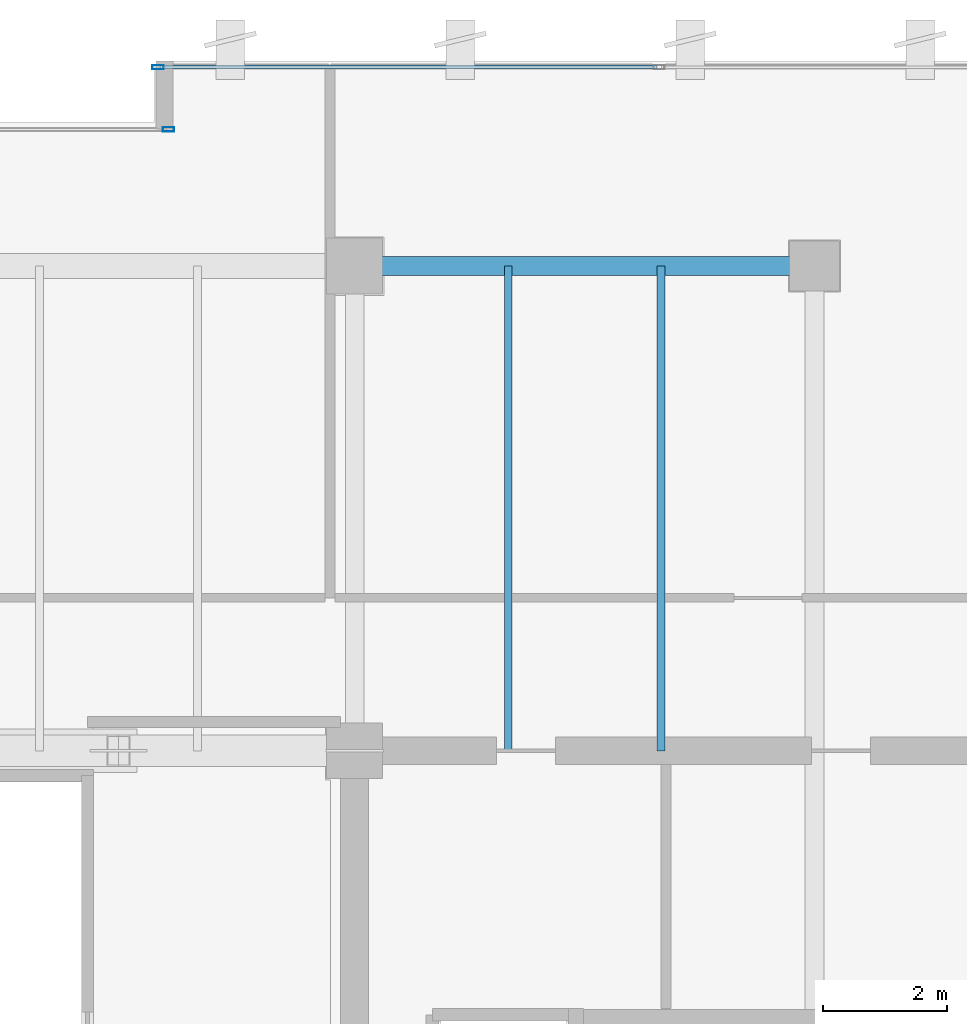
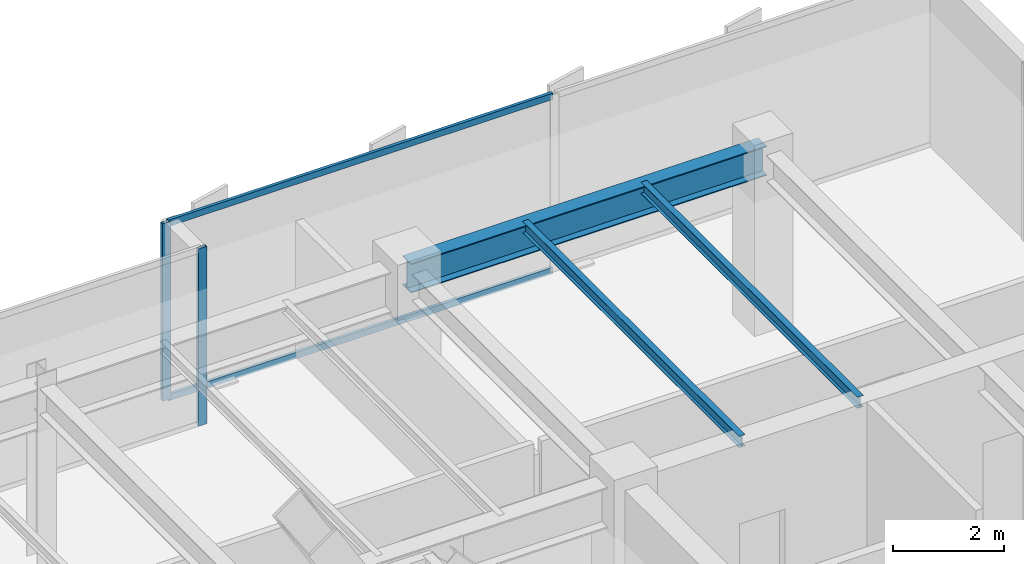
# One storey, part 23 of 32: 4 members, 3 beams, 2 elements without a shape of their own.
"""IFC4 building model written with IfcOpenShell, lengths in metres."""

from ifc_helpers import new_model, si_unit, direction, frame, origin, origin_2d, place, context, subcontext, project, spatial, hollow_rectangle, i_section, extrude, source, transform, mapped, material, layer, layer_set, material_profile, profile_set, type_object, type_shapes, element, aggregate, save


model = new_model("IFC4")

# Units and contexts
model_context = context("Model", 3, precision=1e-05, world=origin(), true_north=direction((0.0, 1.0)))
body_context = subcontext(model_context, "Body", "Model", "MODEL_VIEW")
ifc_project = project(units=[si_unit("LENGTHUNIT", "METRE"), si_unit("AREAUNIT", "SQUARE_METRE"), si_unit("VOLUMEUNIT", "CUBIC_METRE"), si_unit("PLANEANGLEUNIT", "RADIAN"), si_unit("MASSUNIT", "GRAM", prefix="KILO")], contexts=[model_context])

# Site, building, storey
site_placement = place(None, origin())
site = spatial("IfcSite", under=ifc_project, at=site_placement, CompositionType="ELEMENT")
building_placement = place(site_placement, origin())
building = spatial("IfcBuilding", under=site, at=building_placement, Name="Haelvirn Gate Laboratories", CompositionType="ELEMENT")
storey_placement = place(building_placement, frame((0.0, 0.0, 306.0)))
storey = spatial("IfcBuildingStorey", under=building, at=storey_placement, Name="L73", CompositionType="ELEMENT", Elevation=306.0)

# Beams
ifc_material_1 = material(Name="Steel SM355", Category="steel")
ifc_material_profile_1 = material_profile(ifc_material_1, i_section(OverallWidth=0.300048828125, OverallDepth=0.64990234375, WebThickness=0.012939453125, FlangeThickness=0.02197265625, at=origin_2d()), Name="H-650x300x13x22")
ifc_profile_set_1 = profile_set([ifc_material_profile_1], Name="Steel SM355")
beam_type_1 = type_object("IfcBeamType", Name="BM-G-650", PredefinedType="BEAM", material=ifc_profile_set_1)
shared_shape_1 = source(origin(), body_context, "Body", "SweptSolid", [
    extrude(i_section(OverallWidth=0.300048828125, OverallDepth=0.64990234375, WebThickness=0.012939453125, FlangeThickness=0.02197265625, at=origin_2d()), origin(), (0.0, 0.0, 1.0), 7.39990234375),
])
type_shapes(beam_type_1, [shared_shape_1])
beam_placement = place(storey_placement, frame((52.60009765625, 41.60009765625, 3.574951171875), z_axis=(1.0, 0.0, 0.0), x_axis=(0.0, 1.0, 0.0)))
element("IfcBeam", 1, at=beam_placement, inside=storey, type_object=beam_type_1, Name="L73 Primary Girder Y41.6 (52.6-60.0)", PredefinedType="BEAM", context=body_context, shape_type="MappedRepresentation", body=[
    mapped(shared_shape_1, transform((0.0, 0.0, 0.0), scale=1.0)),
])
ifc_material_profile_2 = material_profile(ifc_material_1, i_section(OverallWidth=0.125, OverallDepth=0.25, WebThickness=0.006103515625, FlangeThickness=0.009033203125, at=origin_2d()), Name="H-250x125x6x9")
ifc_profile_set_2 = profile_set([ifc_material_profile_2], Name="Steel SM355")
beam_type_2 = type_object("IfcBeamType", Name="BM-J-250", PredefinedType="JOIST", material=ifc_profile_set_2)
shared_shape_2 = source(origin(), body_context, "Body", "SweptSolid", [
    extrude(i_section(OverallWidth=0.125, OverallDepth=0.25, WebThickness=0.006103515625, FlangeThickness=0.009033203125, at=origin_2d()), origin(), (0.0, 0.0, 1.0), 7.800048828125),
])
type_shapes(beam_type_2, [shared_shape_2])
for number, where, z_axis, x_axis, name in (
    (2, (55.070068359375, 33.800048828125, 3.77490234375), (0.0, 1.0, 0.0), (-1.0, 0.0, 0.0), "L73 Composite Lab Joist North X55.07"),
    (3, (57.530029296875, 33.800048828125, 3.77490234375), (0.0, 1.0, 0.0), (-1.0, 0.0, 0.0), "L73 Composite Lab Joist North X57.53"),
):
    element("IfcBeam", number, at=place(storey_placement, frame(where, z_axis=z_axis, x_axis=x_axis)), inside=storey, type_object=beam_type_2, Name=name, PredefinedType="JOIST", context=body_context, shape_type="MappedRepresentation", body=[
        mapped(shared_shape_2, transform((0.0, 0.0, 0.0), scale=1.0)),
    ])

# Curtain wall, member
ifc_material_2 = material(Name="Anodised bronze unitised aluminium & triple low-E glass", Category="aluminium")
ifc_layer = layer(ifc_material_2, 0.176025390625, Name="CW-SYS-4")
ifc_layer_set = layer_set([ifc_layer], Name="Anodised bronze unitised aluminium & triple low-E glass")
curtain_wall_type = type_object("IfcCurtainWallType", Name="CW-SYS-4", PredefinedType="NOTDEFINED", material=ifc_layer_set)
curtain_wall_1_placement = place(storey_placement, origin())
curtain_wall_1 = element("IfcCurtainWall", 4, at=curtain_wall_1_placement, inside=storey, type_object=curtain_wall_type, Name="L73 Unitised Curtain Wall CW-L73-P0-E10-1", PredefinedType="NOTDEFINED")
ifc_material_3 = material(Name="Extruded aluminium 6063-T6 (anodised bronze)", Category="aluminium")
ifc_material_profile_3 = material_profile(ifc_material_3, hollow_rectangle(XDim=0.070068359375, YDim=0.179931640625, WallThickness=0.0048828125, at=origin_2d()), Name="CWM-180x70x5")
ifc_profile_set_3 = profile_set([ifc_material_profile_3], Name="Extruded aluminium 6063-T6 (anodised bronze)")
member_type_1 = type_object("IfcMemberType", Name="CWM-T180", PredefinedType="MULLION", material=ifc_profile_set_3)
shared_shape_3 = source(origin(), body_context, "Body", "SweptSolid", [
    extrude(hollow_rectangle(XDim=0.070068359375, YDim=0.179931640625, WallThickness=0.0048828125, at=origin_2d()), origin(), (0.0, 0.0, 1.0), 3.89990234375),
])
type_shapes(member_type_1, [shared_shape_3])
member_1_placement = place(storey_placement, frame((49.43505859375, 44.800048828125, 0.0), z_axis=(0.0, 0.0, 1.0), x_axis=(0.0, 1.0, 0.0)))
member_1 = element("IfcMember", 5, at=member_1_placement, type_object=member_type_1, Name="CW4 mullion 1", PredefinedType="MULLION", context=body_context, shape_type="MappedRepresentation", body=[
    mapped(shared_shape_3, transform((0.0, 0.0, 0.0), scale=1.0)),
])

curtain_wall_2_placement = place(storey_placement, origin())
curtain_wall_2 = element("IfcCurtainWall", 6, at=curtain_wall_2_placement, inside=storey, type_object=curtain_wall_type, Name="L73 Unitised Curtain Wall CW-L73-P0-E12-1", PredefinedType="NOTDEFINED")
member_2_placement = place(storey_placement, frame((49.60498046875, 43.800048828125, 0.0), z_axis=(0.0, 0.0, 1.0), x_axis=(0.0, 1.0, 0.0)))
member_2 = element("IfcMember", 7, at=member_2_placement, type_object=member_type_1, Name="CW4 mullion 3", PredefinedType="MULLION", context=body_context, shape_type="MappedRepresentation", body=[
    mapped(shared_shape_3, transform((0.0, 0.0, 0.0), scale=1.0)),
])
aggregate(curtain_wall_2, [member_2])

# Member
ifc_material_profile_4 = material_profile(ifc_material_3, hollow_rectangle(XDim=0.06494140625, YDim=0.139892578125, WallThickness=0.00390625, at=origin_2d()), Name="CWT-140x65x4")
ifc_profile_set_4 = profile_set([ifc_material_profile_4], Name="Extruded aluminium 6063-T6 (anodised bronze)")
member_type_2 = type_object("IfcMemberType", Name="CWT-T140", PredefinedType="USERDEFINED", material=ifc_profile_set_4)
shared_shape_4 = source(origin(), body_context, "Body", "SweptSolid", [
    extrude(hollow_rectangle(XDim=0.06494140625, YDim=0.139892578125, WallThickness=0.00390625, at=origin_2d()), origin(), (0.0, 0.0, 1.0), 7.9951171875),
])
type_shapes(member_type_2, [shared_shape_4])
member_3_placement = place(storey_placement, frame((49.469970703125, 44.800048828125, 0.032470703125), z_axis=(1.0, 0.0, 0.0), x_axis=(0.0, 1.0, 0.0)))
member_3 = element("IfcMember", 8, at=member_3_placement, type_object=member_type_2, Name="CW4 transom 1.1", ObjectType="TRANSOM", PredefinedType="USERDEFINED", context=body_context, shape_type="MappedRepresentation", body=[
    mapped(shared_shape_4, transform((0.0, 0.0, 0.0), scale=1.0)),
])

member_4_placement = place(storey_placement, frame((49.469970703125, 44.800048828125, 3.867431640625), z_axis=(1.0, 0.0, 0.0), x_axis=(0.0, 1.0, 0.0)))
member_4 = element("IfcMember", 9, at=member_4_placement, type_object=member_type_2, Name="CW4 transom 1.2", ObjectType="TRANSOM", PredefinedType="USERDEFINED", context=body_context, shape_type="MappedRepresentation", body=[
    mapped(shared_shape_4, transform((0.0, 0.0, 0.0), scale=1.0)),
])

aggregate(curtain_wall_1, [member_1, member_3, member_4])

save(model, "model.ifc")
